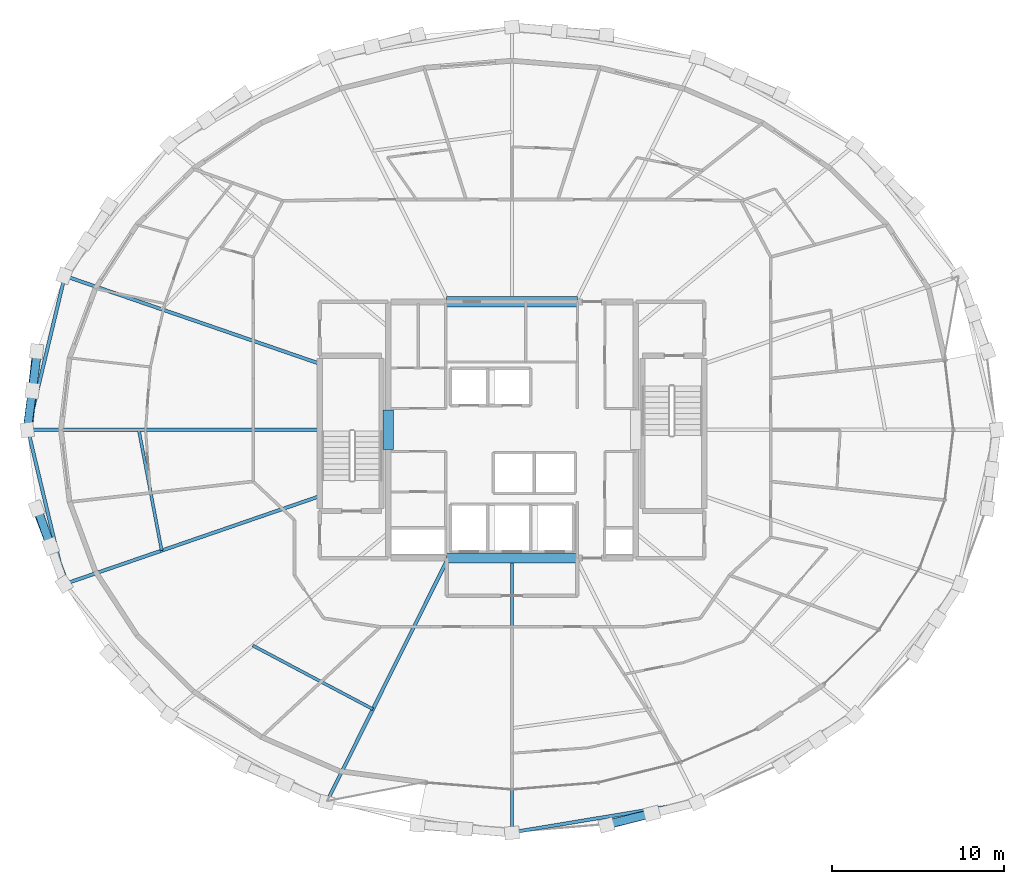
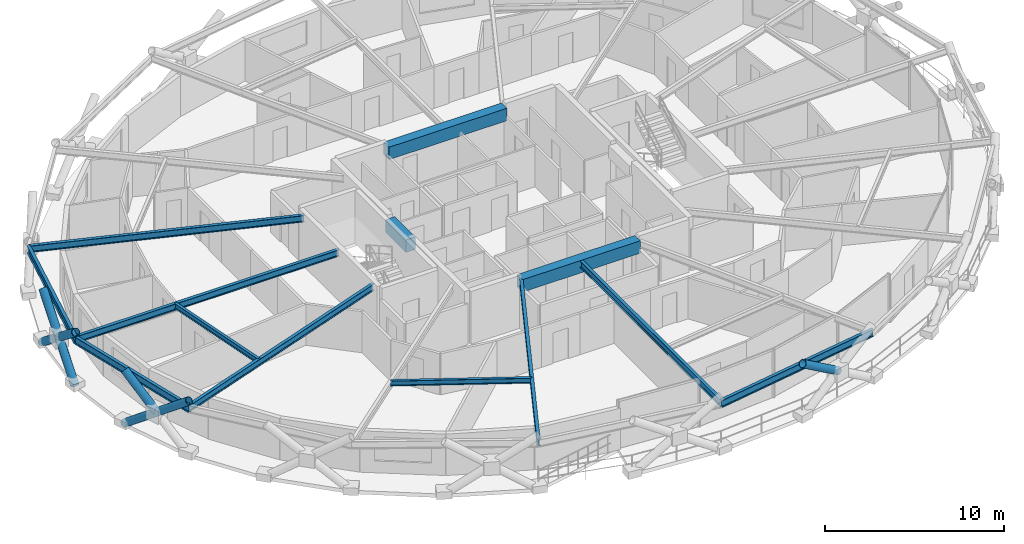
# One storey, part 3 of 19: 13 beams, 6 members.
"""IFC4 building model written with IfcOpenShell, lengths in metres."""

from ifc_helpers import new_model, si_unit, direction, frame, origin, origin_2d, place, context, subcontext, project, spatial, rectangle, hollow_circle, i_section, extrude, material, material_profile, profile_set, type_object, element, save


model = new_model("IFC4")

# Units and contexts
model_context = context("Model", 3, precision=1e-05, world=origin(), true_north=direction((0.0, 1.0)))
body_context = subcontext(model_context, "Body", "Model", "MODEL_VIEW")
ifc_project = project(units=[si_unit("LENGTHUNIT", "METRE"), si_unit("AREAUNIT", "SQUARE_METRE"), si_unit("VOLUMEUNIT", "CUBIC_METRE"), si_unit("PLANEANGLEUNIT", "RADIAN"), si_unit("MASSUNIT", "GRAM", prefix="KILO")], contexts=[model_context])

# Site, building, storey
site_placement = place(None, origin())
site = spatial("IfcSite", under=ifc_project, at=site_placement, CompositionType="ELEMENT")
building_placement = place(site_placement, origin())
building = spatial("IfcBuilding", under=site, at=building_placement, Name="Veldorina Hangang Commons", CompositionType="ELEMENT")
storey_placement = place(building_placement, frame((0.0, 0.0, 160.39990234375)))
storey = spatial("IfcBuildingStorey", under=building, at=storey_placement, Name="L41", CompositionType="ELEMENT", Elevation=160.39990234375)

# Beams
ifc_material_1 = material(Name="Concrete C60/75", Category="concrete")
ifc_material_profile_1 = material_profile(ifc_material_1, rectangle(XDim=0.60009765625, YDim=0.85009765625, at=origin_2d()), Name="RC-CB-600x850")
ifc_profile_set_1 = profile_set([ifc_material_profile_1], Name="Concrete C60/75")
beam_type_1 = type_object("IfcBeamType", Name="BM-CB850", PredefinedType="LINTEL", material=ifc_profile_set_1)
beam_1_placement = place(storey_placement, frame((24.800048828125, 22.85009765625, 2.925048828125), z_axis=(0.0, 1.0, 0.0), x_axis=(-1.0, 0.0, 0.0)))
element("IfcBeam", 1, at=beam_1_placement, inside=storey, type_object=beam_type_1, Name="L41 W core coupling lintel beam", PredefinedType="LINTEL", context=body_context, shape_type="SweptSolid", body=[
    extrude(rectangle(XDim=0.60009765625, YDim=0.85009765625, at=origin_2d()), origin(), (0.0, 0.0, 1.0), 2.2998046875),
])
for number, where, z_axis, x_axis, name in (
    (2, (28.199951171875, 16.550048828125, 2.925048828125), (1.0, 0.0, 0.0), (0.0, 1.0, 0.0), "L41 south core coupling beam"),
    (3, (28.199951171875, 31.449951171875, 2.925048828125), (1.0, 0.0, 0.0), (0.0, 1.0, 0.0), "L41 north core coupling beam"),
):
    element("IfcBeam", number, at=place(storey_placement, frame(where, z_axis=z_axis, x_axis=x_axis)), inside=storey, type_object=beam_type_1, Name=name, PredefinedType="LINTEL", context=body_context, shape_type="SweptSolid", body=[
        extrude(rectangle(XDim=0.60009765625, YDim=0.85009765625, at=origin_2d()), origin(), (0.0, 0.0, 1.0), 7.60009765625),
    ])
ifc_material_2 = material(Name="Steel SM355-TMC", Category="steel")
ifc_material_profile_2 = material_profile(ifc_material_2, i_section(OverallWidth=0.199951171875, OverallDepth=0.449951171875, WebThickness=0.009033203125, FlangeThickness=0.013916015625, FilletRadius=0.01611328125, at=origin_2d()), Name="H-450x200x9x14")
ifc_profile_set_2 = profile_set([ifc_material_profile_2], Name="Steel SM355-TMC")
beam_type_2 = type_object("IfcBeamType", Name="BM-FG450", PredefinedType="BEAM", material=ifc_profile_set_2)
beam_2_placement = place(storey_placement, frame((20.820068359375, 27.850341796875, 3.125), z_axis=(-0.945500971875, 0.325619274895, 0.0), x_axis=(-0.325619274895, -0.945500971875, 0.0)))
element("IfcBeam", 4, at=beam_2_placement, inside=storey, type_object=beam_type_2, Name="L41 radial floor girder 08", PredefinedType="BEAM", context=body_context, shape_type="SweptSolid", body=[
    extrude(i_section(OverallWidth=0.199951171875, OverallDepth=0.449951171875, WebThickness=0.009033203125, FlangeThickness=0.013916015625, FilletRadius=0.01611328125, at=origin_2d()), origin(), (0.0, 0.0, 1.0), 15.6806640625),
])
beam_3_placement = place(storey_placement, frame((20.820068359375, 24.0, 3.125), z_axis=(-1.0, 0.0, 0.0), x_axis=(0.0, -1.0, 0.0)))
element("IfcBeam", 5, at=beam_3_placement, inside=storey, type_object=beam_type_2, Name="L41 radial floor girder 09", PredefinedType="BEAM", context=body_context, shape_type="SweptSolid", body=[
    extrude(i_section(OverallWidth=0.199951171875, OverallDepth=0.449951171875, WebThickness=0.009033203125, FlangeThickness=0.013916015625, FilletRadius=0.01611328125, at=origin_2d()), origin(), (0.0, 0.0, 1.0), 16.96875),
])
beam_4_placement = place(storey_placement, frame((20.820068359375, 20.149658203125, 3.125), z_axis=(-0.945500971875, -0.325619274895, 0.0), x_axis=(0.325619274895, -0.945500971875, 0.0)))
element("IfcBeam", 6, at=beam_4_placement, inside=storey, type_object=beam_type_2, Name="L41 radial floor girder 10", PredefinedType="BEAM", context=body_context, shape_type="SweptSolid", body=[
    extrude(i_section(OverallWidth=0.199951171875, OverallDepth=0.449951171875, WebThickness=0.009033203125, FlangeThickness=0.013916015625, FilletRadius=0.01611328125, at=origin_2d()), origin(), (0.0, 0.0, 1.0), 15.6806640625),
])
beam_5_placement = place(storey_placement, frame((28.28857421875, 16.550048828125, 3.125), z_axis=(-0.445924128042, -0.8950707637, 0.0), x_axis=(0.8950707637, -0.445924128042, 0.0)))
element("IfcBeam", 7, at=beam_5_placement, inside=storey, type_object=beam_type_2, Name="L41 radial floor girder 12", PredefinedType="BEAM", context=body_context, shape_type="SweptSolid", body=[
    extrude(i_section(OverallWidth=0.199951171875, OverallDepth=0.449951171875, WebThickness=0.009033203125, FlangeThickness=0.013916015625, FilletRadius=0.01611328125, at=origin_2d()), origin(), (0.0, 0.0, 1.0), 15.833984375),
])
beam_6_placement = place(storey_placement, frame((32.0, 16.550048828125, 3.125), z_axis=(0.0, -1.0, 0.0), x_axis=(1.0, 0.0, 0.0)))
element("IfcBeam", 8, at=beam_6_placement, inside=storey, type_object=beam_type_2, Name="L41 radial floor girder 13", PredefinedType="BEAM", context=body_context, shape_type="SweptSolid", body=[
    extrude(i_section(OverallWidth=0.199951171875, OverallDepth=0.449951171875, WebThickness=0.009033203125, FlangeThickness=0.013916015625, FilletRadius=0.01611328125, at=origin_2d()), origin(), (0.0, 0.0, 1.0), 15.9541015625),
])
ifc_material_profile_3 = material_profile(ifc_material_2, i_section(OverallWidth=0.175048828125, OverallDepth=0.35009765625, WebThickness=0.007080078125, FlangeThickness=0.010986328125, FilletRadius=0.012939453125, at=origin_2d()), Name="H-350x175x7x11")
ifc_profile_set_3 = profile_set([ifc_material_profile_3], Name="Steel SM355-TMC")
beam_type_3 = type_object("IfcBeamType", Name="BM-JST350", PredefinedType="JOIST", material=ifc_profile_set_3)
beam_7_placement = place(storey_placement, frame((10.29931640625, 24.0, 3.175048828125), z_axis=(0.186059382124, -0.982538501191, 0.0), x_axis=(0.982538501191, 0.186059382124, 0.0)))
element("IfcBeam", 9, at=beam_7_placement, inside=storey, type_object=beam_type_3, Name="L41 secondary floor joist 09", PredefinedType="JOIST", context=body_context, shape_type="SweptSolid", body=[
    extrude(i_section(OverallWidth=0.175048828125, OverallDepth=0.35009765625, WebThickness=0.007080078125, FlangeThickness=0.010986328125, FilletRadius=0.012939453125, at=origin_2d()), origin(), (0.0, 0.0, 1.0), 7.140869140625),
])
beam_8_placement = place(storey_placement, frame((16.923583984375, 11.464599609375, 3.175048828125), z_axis=(0.883657203351, -0.468134539385, 0.0), x_axis=(0.468134539385, 0.883657203351, 0.0)))
element("IfcBeam", 10, at=beam_8_placement, inside=storey, type_object=beam_type_3, Name="L41 secondary floor joist 11", PredefinedType="JOIST", context=body_context, shape_type="SweptSolid", body=[
    extrude(i_section(OverallWidth=0.175048828125, OverallDepth=0.35009765625, WebThickness=0.007080078125, FlangeThickness=0.010986328125, FilletRadius=0.012939453125, at=origin_2d()), origin(), (0.0, 0.0, 1.0), 7.9072265625),
])
ifc_material_3 = material(Name="Steel SM420-TMC", Category="steel")
ifc_material_profile_4 = material_profile(ifc_material_3, i_section(OverallWidth=0.199951171875, OverallDepth=0.5, WebThickness=0.010009765625, FlangeThickness=0.01611328125, FilletRadius=0.01611328125, at=origin_2d()), Name="H-500x200x10x16")
ifc_profile_set_4 = profile_set([ifc_material_profile_4], Name="Steel SM420-TMC")
beam_type_4 = type_object("IfcBeamType", Name="BM-RB500", PredefinedType="BEAM", material=ifc_profile_set_4)
for number, where, z_axis, x_axis, name in (
    (11, (5.993896484375, 32.956298828125, 3.10009765625), (-0.232660981985, -0.972557899285, 0.0), (0.972557899285, -0.232660981985, 0.0), "L41 perimeter hoop ring beam 14"),
    (12, (3.851318359375, 24.0, 3.10009765625), (0.232660981985, -0.972557899285, 0.0), (0.972557899285, 0.232660981985, 0.0), "L41 perimeter hoop ring beam 16"),
):
    element("IfcBeam", number, at=place(storey_placement, frame(where, z_axis=z_axis, x_axis=x_axis)), inside=storey, type_object=beam_type_4, Name=name, PredefinedType="BEAM", context=body_context, shape_type="SweptSolid", body=[
        extrude(i_section(OverallWidth=0.199951171875, OverallDepth=0.5, WebThickness=0.010009765625, FlangeThickness=0.01611328125, FilletRadius=0.01611328125, at=origin_2d()), origin(), (0.0, 0.0, 1.0), 9.208984375),
    ])
beam_9_placement = place(storey_placement, frame((32.0, 0.595947265625, 3.10009765625), z_axis=(0.986599225336, 0.163162399367, 0.0), x_axis=(-0.163162399367, 0.986599225336, 0.0)))
element("IfcBeam", 13, at=beam_9_placement, inside=storey, type_object=beam_type_4, Name="L41 perimeter hoop ring beam 24", PredefinedType="BEAM", context=body_context, shape_type="SweptSolid", body=[
    extrude(i_section(OverallWidth=0.199951171875, OverallDepth=0.5, WebThickness=0.010009765625, FlangeThickness=0.01611328125, FilletRadius=0.01611328125, at=origin_2d()), origin(), (0.0, 0.0, 1.0), 10.91845703125),
])

# Members
ifc_material_profile_5 = material_profile(ifc_material_3, hollow_circle(Radius=0.25, WallThickness=0.02490234375, at=origin_2d()), Name="CHS-500x25")
ifc_profile_set_5 = profile_set([ifc_material_profile_5], Name="Steel SM420-TMC")
member_type = type_object("IfcMemberType", Name="DG-CHS500", PredefinedType="BRACE", material=ifc_profile_set_5)
member_1_placement = place(storey_placement, frame((4.352783203125, 28.5712890625, 0.0), z_axis=(-0.084742652496, -0.782793007069, 0.61648502896), x_axis=(0.994191241863, -0.107627945271, 0.0)))
element("IfcMember", 14, at=member_1_placement, inside=storey, type_object=member_type, Name="L41 continuous perimeter diagrid brace 15", PredefinedType="BRACE", context=body_context, shape_type="SweptSolid", body=[
    extrude(hollow_circle(Radius=0.25, WallThickness=0.02490234375, at=origin_2d()), origin(), (0.0, 0.0, 1.0), 5.839599609375),
])
member_2_placement = place(storey_placement, frame((3.811279296875, 24.0, 0.0), z_axis=(0.100448447081, 0.781210033992, 0.616133907741), x_axis=(-0.991834625986, 0.127530681387, 0.0)))
element("IfcMember", 15, at=member_2_placement, inside=storey, type_object=member_type, Name="L41 split perimeter diagrid lower brace 16", PredefinedType="BRACE", context=body_context, shape_type="SweptSolid", body=[
    extrude(hollow_circle(Radius=0.25, WallThickness=0.02490234375, at=origin_2d()), origin(), (0.0, 0.0, 1.0), 2.923828125),
])
member_3_placement = place(storey_placement, frame((4.10498046875, 26.2841796875, 1.801513671875), z_axis=(0.100519643711, 0.781243354034, 0.61608004594), x_axis=(-0.99182387742, 0.127614247555, 0.0)))
element("IfcMember", 16, at=member_3_placement, inside=storey, type_object=member_type, Name="L41 split perimeter diagrid upper brace 16", PredefinedType="BRACE", context=body_context, shape_type="SweptSolid", body=[
    extrude(hollow_circle(Radius=0.25, WallThickness=0.02490234375, at=origin_2d()), origin(), (0.0, 0.0, 1.0), 2.91943359375),
])
member_4_placement = place(storey_placement, frame((4.352783203125, 19.4287109375, 0.0), z_axis=(0.278879607362, -0.742108265981, 0.609509217453), x_axis=(0.936084688296, 0.351774723846, 0.0)))
element("IfcMember", 17, at=member_4_placement, inside=storey, type_object=member_type, Name="L41 continuous perimeter diagrid brace 17", PredefinedType="BRACE", context=body_context, shape_type="SweptSolid", body=[
    extrude(hollow_circle(Radius=0.25, WallThickness=0.02490234375, at=origin_2d()), origin(), (0.0, 0.0, 1.0), 5.906494140625),
])
member_5_placement = place(storey_placement, frame((5.177001953125, 17.2353515625, 1.801513671875), z_axis=(-0.264265374388, 0.746638765517, 0.610486990629), x_axis=(-0.942694429166, -0.333657329036, 0.0)))
element("IfcMember", 18, at=member_5_placement, inside=storey, type_object=member_type, Name="L41 split perimeter diagrid upper brace 18", PredefinedType="BRACE", context=body_context, shape_type="SweptSolid", body=[
    extrude(hollow_circle(Radius=0.25, WallThickness=0.02490234375, at=origin_2d()), origin(), (0.0, 0.0, 1.0), 2.946044921875),
])
member_6_placement = place(storey_placement, frame((40.13671875, 1.700439453125, 1.801513671875), z_axis=(-0.810502267587, -0.19918616613, 0.550827509715), x_axis=(0.238655171382, -0.971104376044, 0.0)))
element("IfcMember", 19, at=member_6_placement, inside=storey, type_object=member_type, Name="L41 split perimeter diagrid upper brace 26", PredefinedType="BRACE", context=body_context, shape_type="SweptSolid", body=[
    extrude(hollow_circle(Radius=0.25, WallThickness=0.02490234375, at=origin_2d()), origin(), (0.0, 0.0, 1.0), 3.26513671875),
])

save(model, "model.ifc")
